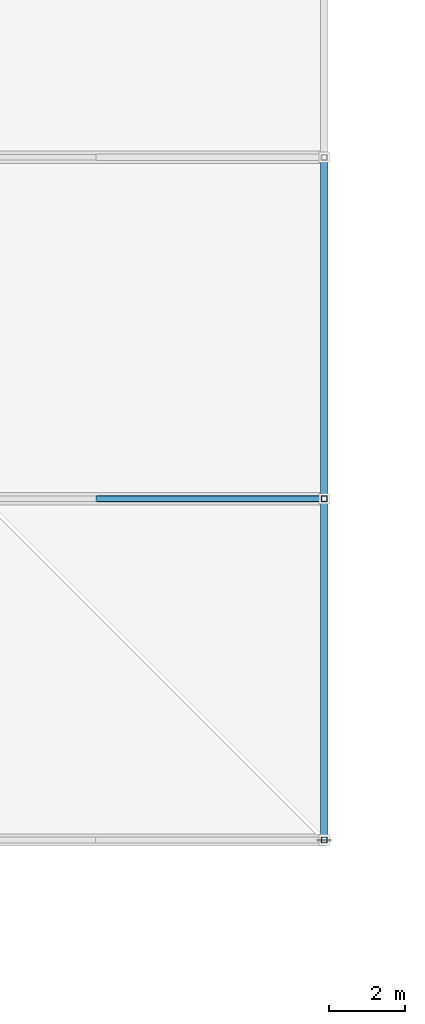
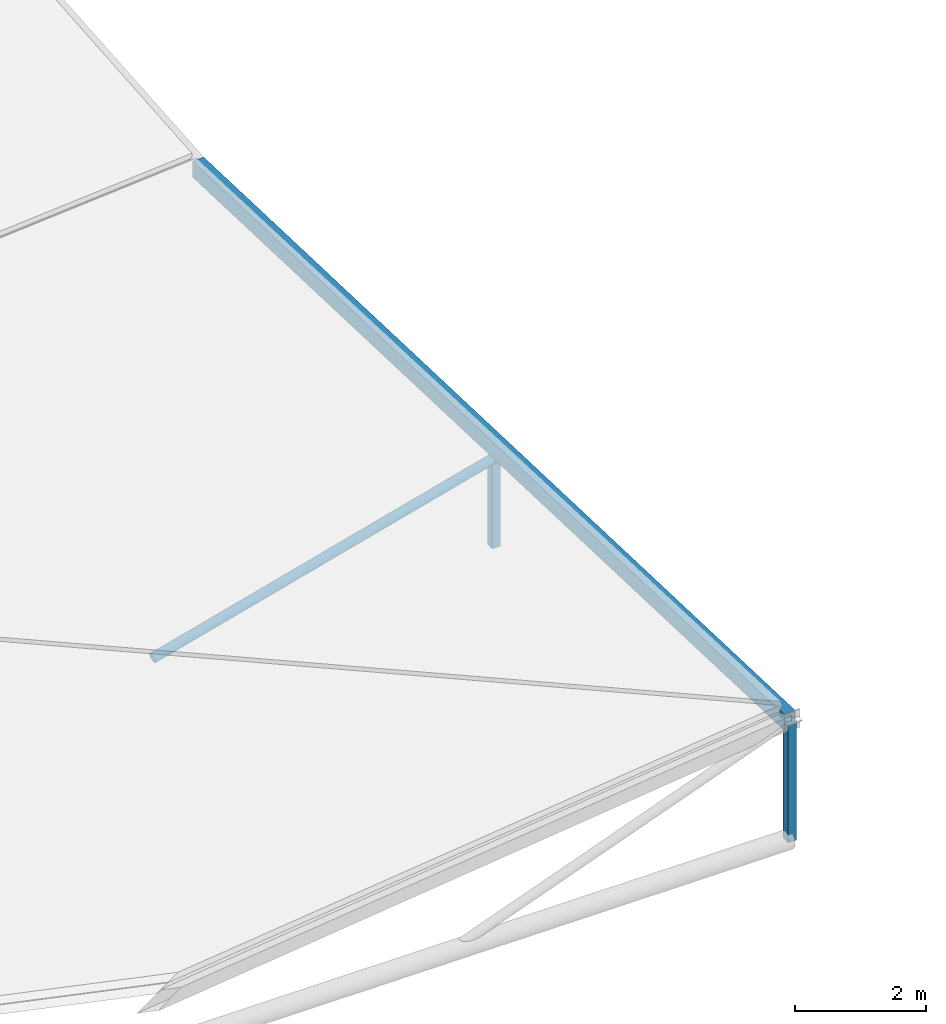
# One storey, part 7 of 44: 4 members.
"""IFC4 building model written with IfcOpenShell, lengths in metres."""

from ifc_helpers import new_model, si_unit, direction, frame, origin, origin_2d, place, context, subcontext, project, spatial, hollow_rectangle, hollow_circle, extrude, material, material_profile, profile_set, type_object, element, save


model = new_model("IFC4")

# Units and contexts
model_context = context("Model", 3, precision=1e-05, world=origin(), true_north=direction((0.0, 1.0)))
body_context = subcontext(model_context, "Body", "Model", "MODEL_VIEW")
ifc_project = project(units=[si_unit("LENGTHUNIT", "METRE"), si_unit("AREAUNIT", "SQUARE_METRE"), si_unit("VOLUMEUNIT", "CUBIC_METRE"), si_unit("PLANEANGLEUNIT", "RADIAN"), si_unit("MASSUNIT", "GRAM", prefix="KILO")], contexts=[model_context])

# Site, building, storey
site_placement = place(None, origin())
site = spatial("IfcSite", under=ifc_project, at=site_placement, CompositionType="ELEMENT")
building_placement = place(site_placement, origin())
building = spatial("IfcBuilding", under=site, at=building_placement, Name="Deido Ridge Mobility Hub", CompositionType="ELEMENT")
storey_placement = place(building_placement, frame((0.0, 0.0, 25.199951171875)))
storey = spatial("IfcBuildingStorey", under=building, at=storey_placement, Name="L06", CompositionType="ELEMENT", Elevation=25.199951171875)

# Members
ifc_material = material(Name="Steel S355J2H EN 10210-1", Category="steel")
ifc_material_profile_1 = material_profile(ifc_material, hollow_rectangle(XDim=0.199951171875, YDim=0.300048828125, WallThickness=0.012451171875, at=origin_2d()), Name="RHS 300x200x12.5")
ifc_profile_set_1 = profile_set([ifc_material_profile_1], Name="Steel S355J2H EN 10210-1")
member_type_1 = type_object("IfcMemberType", Name="MEM-CHD-RHS300", PredefinedType="CHORD", material=ifc_profile_set_1)
member_1_placement = place(storey_placement, frame((99.0, 45.0, 2.199951171875), z_axis=(0.0, 0.999368711699, -0.035527145635), x_axis=(-1.0, 0.0, 0.0)))
element("IfcMember", 1, at=member_1_placement, inside=storey, type_object=member_type_1, Name="Origami longitudinal ridge chord CH1", PredefinedType="CHORD", context=body_context, shape_type="SweptSolid", body=[
    extrude(hollow_rectangle(XDim=0.199951171875, YDim=0.300048828125, WallThickness=0.012451171875, at=origin_2d()), origin(), (0.0, 0.0, 1.0), 18.011474609375),
])
ifc_material_profile_2 = material_profile(ifc_material, hollow_rectangle(XDim=0.14990234375, YDim=0.14990234375, WallThickness=0.008056640625, at=origin_2d()), Name="SHS 150x150x8")
ifc_profile_set_2 = profile_set([ifc_material_profile_2], Name="Steel S355J2H EN 10210-1")
member_type_2 = type_object("IfcMemberType", Name="MEM-PST-SHS150", PredefinedType="POST", material=ifc_profile_set_2)
member_2_placement = place(storey_placement, frame((99.0, 45.0, 0.0), z_axis=(0.0, 0.0, 1.0), x_axis=(1.0, 0.0, 0.0)))
element("IfcMember", 2, at=member_2_placement, inside=storey, type_object=member_type_2, Name="Origami eaves post PS1", PredefinedType="POST", context=body_context, shape_type="SweptSolid", body=[
    extrude(hollow_rectangle(XDim=0.14990234375, YDim=0.14990234375, WallThickness=0.008056640625, at=origin_2d()), origin(), (0.0, 0.0, 1.0), 2.219970703125),
])
member_3_placement = place(storey_placement, frame((99.0, 54.0, 0.0), z_axis=(0.0, 0.0, 1.0), x_axis=(1.0, 0.0, 0.0)))
element("IfcMember", 3, at=member_3_placement, inside=storey, type_object=member_type_2, Name="Origami eaves post PS1", PredefinedType="POST", context=body_context, shape_type="SweptSolid", body=[
    extrude(hollow_rectangle(XDim=0.14990234375, YDim=0.14990234375, WallThickness=0.008056640625, at=origin_2d()), origin(), (0.0, 0.0, 1.0), 1.6201171875),
])
ifc_material_profile_3 = material_profile(ifc_material, hollow_circle(Radius=0.084228515625, WallThickness=0.008056640625, at=origin_2d()), Name="CHS 168.3x8")
ifc_profile_set_3 = profile_set([ifc_material_profile_3], Name="Steel S355J2H EN 10210-1")
member_type_3 = type_object("IfcMemberType", Name="MEM-STR-CHS168", PredefinedType="STRUT", material=ifc_profile_set_3)
member_4_placement = place(storey_placement, frame((93.0, 54.0, 0.0), z_axis=(0.965424337217, 0.0, 0.260683426993), x_axis=(0.0, 1.0, 0.0)))
element("IfcMember", 4, at=member_4_placement, inside=storey, type_object=member_type_3, Name="Origami diagonal web SR1", PredefinedType="STRUT", context=body_context, shape_type="SweptSolid", body=[
    extrude(hollow_circle(Radius=0.084228515625, WallThickness=0.008056640625, at=origin_2d()), origin(), (0.0, 0.0, 1.0), 6.21484375),
])

save(model, "model.ifc")
